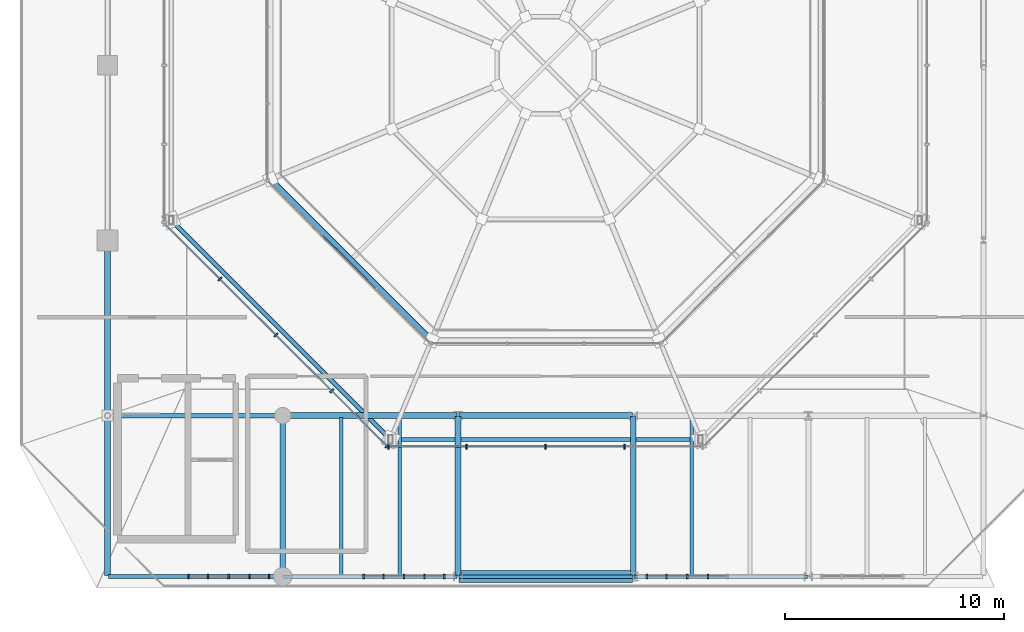
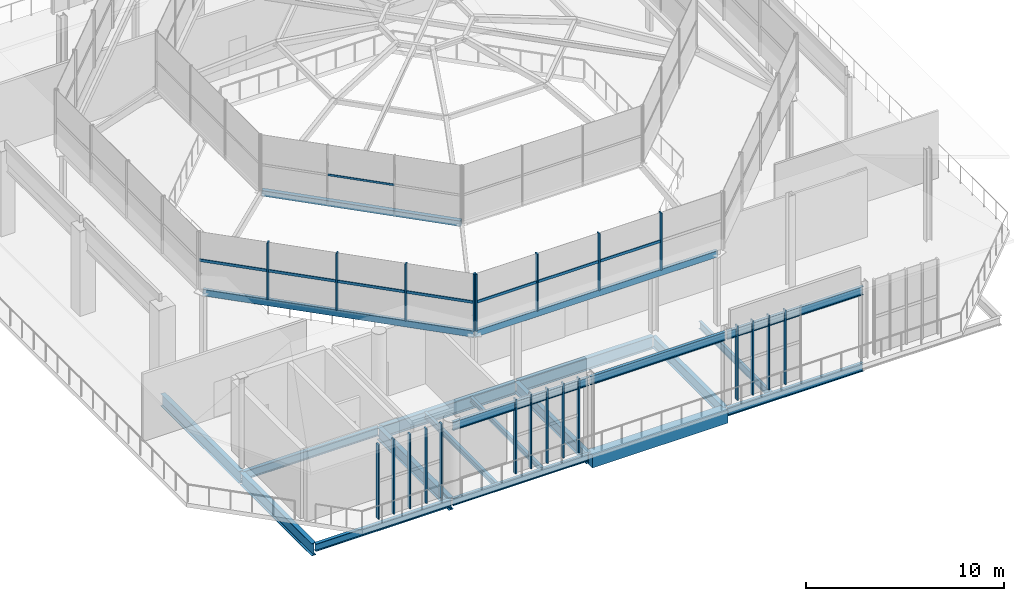
# One storey, part 8 of 30: 30 members, 21 beams, 6 elements without a shape of their own.
"""IFC4 building model written with IfcOpenShell, lengths in metres."""

import ifcopenshell
import ifcopenshell.guid

model = None  # the IFC model being written
_history = None  # IfcOwnerHistory: only IFC2X3 demands one
_inside = {}  # id of a spatial element -> (the spatial element, [elements in it])
_under = {}  # id of a project, library or spatial element -> (it, [spatial elements below it])
_declared = {}  # id of a project -> (the project, [libraries it declares])
_typed = {}  # id of a type object -> (the type object, [elements of that type])
_made_of = {}  # id of a material, layer set ... -> (it, [elements and type objects made of it])


def new_model(schema):
    """Start an empty IFC model of exactly this schema.

    Asked for "IFC4X3", IfcOpenShell would pick the latest addendum, in which some entities
    have other attributes; the version numbers below select the first issue.
    IFC2X3 requires an IfcOwnerHistory on every rooted entity: one is made here for all.
    """
    global model, _history
    if schema == "IFC4X3":
        model = ifcopenshell.file(schema_version=(4, 3, 0, 0))
    else:
        model = ifcopenshell.file(schema=schema)
    _inside.clear()
    _under.clear()
    _declared.clear()
    _typed.clear()
    _made_of.clear()
    _history = None
    if model.schema == "IFC2X3":
        org = make("IfcOrganization", Name="unknown")
        user = make(
            "IfcPersonAndOrganization",
            ThePerson=make("IfcPerson", FamilyName="unknown"),
            TheOrganization=org,
        )
        app = make(
            "IfcApplication",
            ApplicationDeveloper=org,
            Version="unknown",
            ApplicationFullName="unknown",
            ApplicationIdentifier="unknown",
        )
        _history = make(
            "IfcOwnerHistory",
            OwningUser=user,
            OwningApplication=app,
            ChangeAction="ADDED",
            CreationDate=0,
        )
    return model


def make(cls, **values):
    """One entity of the class cls with the attributes given. An attribute that is None is left unset."""
    return model.create_entity(
        cls, **{name: value for name, value in values.items() if value is not None}
    )


def rooted(cls, **values):
    """An entity with a GlobalId (a new one), such as an element, a storey or a relation."""
    return make(cls, GlobalId=ifcopenshell.guid.new(), OwnerHistory=_history, **values)


def si_unit(unit_type, name, prefix=None):
    """IfcSIUnit, for example si_unit("LENGTHUNIT", "METRE", prefix="MILLI")."""
    return make("IfcSIUnit", UnitType=unit_type, Prefix=prefix, Name=name)


def assignment(units):
    """IfcUnitAssignment: the units of a project."""
    return None if units is None else make("IfcUnitAssignment", Units=units)


def point(xyz):
    """IfcCartesianPoint."""
    return None if xyz is None else make("IfcCartesianPoint", Coordinates=xyz)


def direction(xyz):
    """IfcDirection."""
    return None if xyz is None else make("IfcDirection", DirectionRatios=xyz)


def frame(location, z_axis=None, x_axis=None):
    """IfcAxis2Placement3D, a coordinate frame: its origin and axes. An axis left out is left unset."""
    return make(
        "IfcAxis2Placement3D",
        Location=point(location),
        Axis=direction(z_axis),
        RefDirection=direction(x_axis),
    )


def frame_2d(location, x_axis=None):
    """IfcAxis2Placement2D, a coordinate frame in the plane: its origin and x axis."""
    return make(
        "IfcAxis2Placement2D", Location=point(location), RefDirection=direction(x_axis)
    )


def origin():
    """The frame at (0, 0, 0) with its axes left unset."""
    return frame((0.0, 0.0, 0.0))


def origin_2d():
    """The frame at (0, 0) in the plane with its x axis left unset."""
    return frame_2d((0.0, 0.0))


def place(relative_to, where):
    """IfcLocalPlacement: puts the frame where relative to a parent placement (None: the world)."""
    return make(
        "IfcLocalPlacement", PlacementRelTo=relative_to, RelativePlacement=where
    )


def context(
    kind, dimensions, precision=None, world=None, true_north=None, identifier=None
):
    """IfcGeometricRepresentationContext, for example the 3D "Model" context."""
    return make(
        "IfcGeometricRepresentationContext",
        ContextIdentifier=identifier,
        ContextType=kind,
        CoordinateSpaceDimension=dimensions,
        Precision=precision,
        WorldCoordinateSystem=world,
        TrueNorth=true_north,
    )


def subcontext(parent, identifier, kind, view, scale=None):
    """IfcGeometricRepresentationSubContext, for example "Body" below "Model"."""
    return make(
        "IfcGeometricRepresentationSubContext",
        ContextIdentifier=identifier,
        ContextType=kind,
        ParentContext=parent,
        TargetScale=scale,
        TargetView=view,
    )


def project(units=None, contexts=None):
    """IfcProject with its units and contexts."""
    return rooted(
        "IfcProject",
        Name="project",
        RepresentationContexts=contexts,
        UnitsInContext=assignment(units),
    )


def spatial(cls, under=None, at=None, **own):
    """A site, building, storey or space (cls), placed at a placement, below another one or the project."""
    s = rooted(cls, ObjectPlacement=at, **own)
    if under is not None:
        _under.setdefault(under.id(), (under, []))[1].append(s)
    return s


def profile(cls, at=None, kind="AREA", **sizes):
    """A parametric profile (cls). Its sizes go by their IFC names, for example OverallWidth=200.0."""
    return make(cls, ProfileType=kind, Position=at, **sizes)


def rectangle(**sizes):
    """IfcRectangleProfileDef."""
    return profile("IfcRectangleProfileDef", **sizes)


def hollow_rectangle(**sizes):
    """IfcRectangleHollowProfileDef."""
    return profile("IfcRectangleHollowProfileDef", **sizes)


def i_section(**sizes):
    """IfcIShapeProfileDef."""
    return profile("IfcIShapeProfileDef", **sizes)


def extrude(swept, where, along, depth):
    """IfcExtrudedAreaSolid: the profile swept, set in the frame where, extruded along a direction by depth."""
    return make(
        "IfcExtrudedAreaSolid",
        SweptArea=swept,
        Position=where,
        ExtrudedDirection=direction(along),
        Depth=depth,
    )


def shape(context_of_items, identifier, shape_type, items):
    """IfcShapeRepresentation: the items that make up one representation, for example the "Body"."""
    return make(
        "IfcShapeRepresentation",
        ContextOfItems=context_of_items,
        RepresentationIdentifier=identifier,
        RepresentationType=shape_type,
        Items=items,
    )


def material(Name=None, Category=None):
    """IfcMaterial."""
    return make("IfcMaterial", Name=Name, Category=Category)


def material_profile(
    of_material, cross_section, Name=None, Category=None, Priority=None
):
    """IfcMaterialProfile: a cross section and its material."""
    return make(
        "IfcMaterialProfile",
        Name=Name,
        Material=of_material,
        Profile=cross_section,
        Priority=Priority,
        Category=Category,
    )


def profile_set(profiles, Name=None, composite=None):
    """IfcMaterialProfileSet."""
    return make(
        "IfcMaterialProfileSet",
        Name=Name,
        MaterialProfiles=profiles,
        CompositeProfile=composite,
    )


def made_of(thing, what):
    """Note that an element or type object is made of a material, layer set ...; save() writes the relation."""
    if what is not None:
        _made_of.setdefault(what.id(), (what, []))[1].append(thing)
    return thing


def type_object(cls, material=None, **own):
    """A type object (cls), such as IfcWallType, which elements share."""
    return made_of(rooted(cls, **own), material)


def element(
    cls,
    number,
    at=None,
    inside=None,
    cuts=None,
    type_object=None,
    material=None,
    context=None,
    identifier="Body",
    shape_type=None,
    held_by="IfcProductDefinitionShape",
    body=None,
    shapes=None,
    **own,
):
    """One element of the class cls, such as IfcWall. Its Tag is "e" and its number.

    at: its placement. inside: the storey or other place that contains it. cuts: it is an
    opening in that element (IfcRelVoidsElement). A single representation is given by context,
    identifier, shape_type and body (its items); several are given by shapes. held_by: the class
    of the entity that holds the representations. save() writes the other relations.
    """
    e = rooted(cls, Tag="e%d" % number, ObjectPlacement=at, **own)
    if body is not None:
        shapes = [shape(context, identifier, shape_type, body)]
    if shapes is not None:
        e.Representation = make(held_by, Representations=shapes)
    if inside is not None:
        _inside.setdefault(inside.id(), (inside, []))[1].append(e)
    if cuts is not None:
        rooted(
            "IfcRelVoidsElement", RelatingBuildingElement=cuts, RelatedOpeningElement=e
        )
    if type_object is not None:
        _typed.setdefault(type_object.id(), (type_object, []))[1].append(e)
    return made_of(e, material)


def aggregate(whole, parts):
    """IfcRelAggregates: a whole, such as a stair, and the parts it consists of."""
    return rooted("IfcRelAggregates", RelatingObject=whole, RelatedObjects=parts)


def save(model, path):
    """Write the relations noted so far, then the file.

    IfcRelAggregates (storeys below a building ...), IfcRelContainedInSpatialStructure (elements
    in a storey), IfcRelDefinesByType, IfcRelAssociatesMaterial and IfcRelDeclares: one each for
    every whole, place, type object, material and project.
    """
    for whole, parts in _under.values():
        aggregate(whole, parts)
    for where, things in _inside.values():
        rooted(
            "IfcRelContainedInSpatialStructure",
            RelatedElements=things,
            RelatingStructure=where,
        )
    for kind, things in _typed.values():
        rooted("IfcRelDefinesByType", RelatedObjects=things, RelatingType=kind)
    for what, things in _made_of.values():
        rooted("IfcRelAssociatesMaterial", RelatedObjects=things, RelatingMaterial=what)
    for by, libraries in _declared.values():
        rooted("IfcRelDeclares", RelatingContext=by, RelatedDefinitions=libraries)
    model.write(path)


model = new_model("IFC4")

# Units and contexts
model_context = context("Model", 3, precision=1e-05, world=origin(), true_north=direction((0.0, 1.0)))
body_context = subcontext(model_context, "Body", "Model", "MODEL_VIEW")
ifc_project = project(units=[si_unit("LENGTHUNIT", "METRE"), si_unit("AREAUNIT", "SQUARE_METRE"), si_unit("VOLUMEUNIT", "CUBIC_METRE"), si_unit("PLANEANGLEUNIT", "RADIAN"), si_unit("MASSUNIT", "GRAM", prefix="KILO")], contexts=[model_context])

# Site, building, storey
site_placement = place(None, origin())
site = spatial("IfcSite", under=ifc_project, at=site_placement, CompositionType="ELEMENT")
building_placement = place(site_placement, origin())
building = spatial("IfcBuilding", under=site, at=building_placement, Name="Brisemont Oceanarium", CompositionType="ELEMENT")
storey_placement = place(building_placement, frame((0.0, 0.0, 19.800048828125)))
storey = spatial("IfcBuildingStorey", under=building, at=storey_placement, Name="L04", CompositionType="ELEMENT", Elevation=19.800048828125)

# Beams
ifc_material_1 = material(Name="Structural Steel ASTM A500 Gr.C", Category="steel")
ifc_material_profile_1 = material_profile(ifc_material_1, hollow_rectangle(XDim=0.25390625, YDim=0.35595703125, WallThickness=0.01171875, InnerFilletRadius=0.01220703125, OuterFilletRadius=0.02392578125, at=origin_2d()), Name="HSS14X10X1/2")
ifc_profile_set_1 = profile_set([ifc_material_profile_1], Name="Structural Steel ASTM A500 Gr.C")
beam_type_1 = type_object("IfcBeamType", Name="BM-HSS14X10", PredefinedType="BEAM", material=ifc_profile_set_1)
beam_1_placement = place(storey_placement, frame((71.435302734375, 50.79541015625, 7.800048828125), z_axis=(0.707106781187, -0.707106781187, 0.0), x_axis=(0.707106781187, 0.707106781187, 0.0)))
element("IfcBeam", 1, at=beam_1_placement, inside=storey, type_object=beam_type_1, Name="V1 dome ring 2 chord 5", PredefinedType="BEAM", context=body_context, shape_type="SweptSolid", body=[
    extrude(hollow_rectangle(XDim=0.25390625, YDim=0.35595703125, WallThickness=0.01171875, InnerFilletRadius=0.01220703125, OuterFilletRadius=0.02392578125, at=origin_2d()), origin(), (0.0, 0.0, 1.0), 10.40869140625),
])
ifc_material_2 = material(Name="Structural Steel ASTM A500 Gr.C", Category="steel")
ifc_material_profile_2 = material_profile(ifc_material_2, hollow_rectangle(XDim=0.202880859375, YDim=0.406005859375, WallThickness=0.01171875, InnerFilletRadius=0.01220703125, OuterFilletRadius=0.02392578125, at=origin_2d()), Name="HSS16X8X1/2")
ifc_profile_set_2 = profile_set([ifc_material_profile_2], Name="Structural Steel ASTM A500 Gr.C")
beam_type_2 = type_object("IfcBeamType", Name="BM-HSS16X8", PredefinedType="BEAM", material=ifc_profile_set_2)
beam_2_placement = place(storey_placement, frame((66.908203125, 48.92041015625, 4.3798828125), z_axis=(0.707106781187, -0.707106781187, 0.0), x_axis=(0.707106781187, 0.707106781187, 0.0)))
element("IfcBeam", 2, at=beam_2_placement, inside=storey, type_object=beam_type_2, Name="V1 dome ring 1 chord 5", PredefinedType="BEAM", context=body_context, shape_type="SweptSolid", body=[
    extrude(hollow_rectangle(XDim=0.202880859375, YDim=0.406005859375, WallThickness=0.01171875, InnerFilletRadius=0.01220703125, OuterFilletRadius=0.02392578125, at=origin_2d()), origin(), (0.0, 0.0, 1.0), 14.159423828125),
])
beam_3_placement = place(storey_placement, frame((76.92041015625, 38.908203125, 4.3798828125), z_axis=(1.0, 0.0, 0.0), x_axis=(0.0, 1.0, 0.0)))
element("IfcBeam", 3, at=beam_3_placement, inside=storey, type_object=beam_type_2, Name="V1 dome ring 1 chord 6", PredefinedType="BEAM", context=body_context, shape_type="SweptSolid", body=[
    extrude(hollow_rectangle(XDim=0.202880859375, YDim=0.406005859375, WallThickness=0.01171875, InnerFilletRadius=0.01220703125, OuterFilletRadius=0.02392578125, at=origin_2d()), origin(), (0.0, 0.0, 1.0), 14.1591796875),
])
ifc_material_3 = material(Name="Concrete C40/50", Category="concrete")
ifc_material_profile_3 = material_profile(ifc_material_3, rectangle(XDim=0.550048828125, YDim=0.800048828125, at=origin_2d()), Name="RC-BM-550X800")
ifc_profile_set_3 = profile_set([ifc_material_profile_3], Name="Concrete C40/50")
beam_type_3 = type_object("IfcBeamType", Name="BM-RC550X800", PredefinedType="SPANDREL", material=ifc_profile_set_3)
beam_4_placement = place(storey_placement, frame((80.0400390625, 32.64990234375, -0.66015625), z_axis=(1.0, 0.0, 0.0), x_axis=(0.0, 1.0, 0.0)))
element("IfcBeam", 4, at=beam_4_placement, inside=storey, type_object=beam_type_3, Name="V1 L04 EW girder", PredefinedType="SPANDREL", context=body_context, shape_type="SweptSolid", body=[
    extrude(rectangle(XDim=0.550048828125, YDim=0.800048828125, at=origin_2d()), origin(), (0.0, 0.0, 1.0), 7.919921875),
])
ifc_material_4 = material(Name="Structural Steel ASTM A992 Gr.50", Category="steel")
ifc_material_profile_4 = material_profile(ifc_material_4, i_section(OverallWidth=0.1650390625, OverallDepth=0.31005859375, WebThickness=0.005859375, FlangeThickness=0.009765625, FilletRadius=0.008056640625, at=origin_2d()), Name="W12X26")
ifc_profile_set_4 = profile_set([ifc_material_profile_4], Name="Structural Steel ASTM A992 Gr.50")
beam_type_4 = type_object("IfcBeamType", Name="BM-W12X26", PredefinedType="JOIST", material=ifc_profile_set_4)
beam_5_placement = place(storey_placement, frame((77.333251953125, 32.68994140625, -0.4150390625), z_axis=(0.0, 1.0, 0.0), x_axis=(-1.0, 0.0, 0.0)))
element("IfcBeam", 5, at=beam_5_placement, inside=storey, type_object=beam_type_4, Name="V1 L04 secondary floor beam", PredefinedType="JOIST", context=body_context, shape_type="SweptSolid", body=[
    extrude(i_section(OverallWidth=0.1650390625, OverallDepth=0.31005859375, WebThickness=0.005859375, FlangeThickness=0.009765625, FilletRadius=0.008056640625, at=origin_2d()), origin(), (0.0, 0.0, 1.0), 7.219970703125),
])
ifc_material_5 = material(Name="Structural Steel ASTM A992 Gr.50", Category="steel")
ifc_material_profile_5 = material_profile(ifc_material_5, i_section(OverallWidth=0.1708984375, OverallDepth=0.35107421875, WebThickness=0.0068359375, FlangeThickness=0.009765625, FilletRadius=0.010009765625, at=origin_2d()), Name="W14X30")
ifc_profile_set_5 = profile_set([ifc_material_profile_5], Name="Structural Steel ASTM A992 Gr.50")
beam_type_5 = type_object("IfcBeamType", Name="BM-W14X30", PredefinedType="JOIST", material=ifc_profile_set_5)
beam_6_placement = place(storey_placement, frame((74.666748046875, 32.68994140625, -0.435546875), z_axis=(0.0, 1.0, 0.0), x_axis=(-1.0, 0.0, 0.0)))
element("IfcBeam", 6, at=beam_6_placement, inside=storey, type_object=beam_type_5, Name="V1 L04 secondary floor beam", PredefinedType="JOIST", context=body_context, shape_type="SweptSolid", body=[
    extrude(i_section(OverallWidth=0.1708984375, OverallDepth=0.35107421875, WebThickness=0.0068359375, FlangeThickness=0.009765625, FilletRadius=0.010009765625, at=origin_2d()), origin(), (0.0, 0.0, 1.0), 7.219970703125),
])
ifc_material_6 = material(Name="Structural Steel ASTM A992 Gr.50", Category="steel")
ifc_material_profile_6 = material_profile(ifc_material_6, i_section(OverallWidth=0.153076171875, OverallDepth=0.455078125, WebThickness=0.008056640625, FlangeThickness=0.01318359375, FilletRadius=0.010986328125, at=origin_2d()), Name="W18X40")
ifc_profile_set_6 = profile_set([ifc_material_profile_6], Name="Structural Steel ASTM A992 Gr.50")
beam_type_6 = type_object("IfcBeamType", Name="BM-W18X40", PredefinedType="JOIST", material=ifc_profile_set_6)
beam_7_placement = place(storey_placement, frame((90.666748046875, 32.68994140625, -0.487548828125), z_axis=(0.0, 1.0, 0.0), x_axis=(-1.0, 0.0, 0.0)))
element("IfcBeam", 7, at=beam_7_placement, inside=storey, type_object=beam_type_6, Name="V1 L04 secondary floor beam", PredefinedType="JOIST", context=body_context, shape_type="SweptSolid", body=[
    extrude(i_section(OverallWidth=0.153076171875, OverallDepth=0.455078125, WebThickness=0.008056640625, FlangeThickness=0.01318359375, FilletRadius=0.010986328125, at=origin_2d()), origin(), (0.0, 0.0, 1.0), 7.219970703125),
])
ifc_material_7 = material(Name="Structural Steel ASTM A992 Gr.50", Category="steel")
ifc_material_profile_7 = material_profile(ifc_material_7, i_section(OverallWidth=0.154052734375, OverallDepth=0.458984375, WebThickness=0.009033203125, FlangeThickness=0.015380859375, FilletRadius=0.010986328125, at=origin_2d()), Name="W18X46")
ifc_profile_set_7 = profile_set([ifc_material_profile_7], Name="Structural Steel ASTM A992 Gr.50")
beam_type_7 = type_object("IfcBeamType", Name="BM-W18X46", PredefinedType="SPANDREL", material=ifc_profile_set_7)
beam_8_placement = place(storey_placement, frame((72.0400390625, 32.64990234375, -0.489501953125), z_axis=(1.0, 0.0, 0.0), x_axis=(0.0, 1.0, 0.0)))
element("IfcBeam", 8, at=beam_8_placement, inside=storey, type_object=beam_type_7, Name="V1 L04 EW girder", PredefinedType="SPANDREL", context=body_context, shape_type="SweptSolid", body=[
    extrude(i_section(OverallWidth=0.154052734375, OverallDepth=0.458984375, WebThickness=0.009033203125, FlangeThickness=0.015380859375, FilletRadius=0.010986328125, at=origin_2d()), origin(), (0.0, 0.0, 1.0), 7.919921875),
])
ifc_material_8 = material(Name="Structural Steel ASTM A992 Gr.50", Category="steel")
ifc_material_profile_8 = material_profile(ifc_material_8, i_section(OverallWidth=0.19091796875, OverallDepth=0.4599609375, WebThickness=0.010009765625, FlangeThickness=0.01611328125, FilletRadius=0.010986328125, at=origin_2d()), Name="W18X55")
ifc_profile_set_8 = profile_set([ifc_material_profile_8], Name="Structural Steel ASTM A992 Gr.50")
beam_type_8 = type_object("IfcBeamType", Name="BM-W18X55", PredefinedType="SPANDREL", material=ifc_profile_set_8)
beam_9_placement = place(storey_placement, frame((64.0400390625, 32.64990234375, -0.489990234375), z_axis=(1.0, 0.0, 0.0), x_axis=(0.0, 1.0, 0.0)))
element("IfcBeam", 9, at=beam_9_placement, inside=storey, type_object=beam_type_8, Name="V1 L04 EW girder", PredefinedType="SPANDREL", context=body_context, shape_type="SweptSolid", body=[
    extrude(i_section(OverallWidth=0.19091796875, OverallDepth=0.4599609375, WebThickness=0.010009765625, FlangeThickness=0.01611328125, FilletRadius=0.010986328125, at=origin_2d()), origin(), (0.0, 0.0, 1.0), 7.919921875),
])
ifc_material_9 = material(Name="Structural Steel ASTM A992 Gr.50", Category="steel")
ifc_material_profile_9 = material_profile(ifc_material_9, i_section(OverallWidth=0.166015625, OverallDepth=0.528076171875, WebThickness=0.009765625, FlangeThickness=0.013671875, FilletRadius=0.012939453125, at=origin_2d()), Name="W21X50")
ifc_profile_set_9 = profile_set([ifc_material_profile_9], Name="Structural Steel ASTM A992 Gr.50")
beam_type_9 = type_object("IfcBeamType", Name="BM-W21X50", PredefinedType="SPANDREL", material=ifc_profile_set_9)
for number, where, z_axis, x_axis, name in (
    (10, (88.0400390625, 32.64990234375, -0.524169921875), (1.0, 0.0, 0.0), (0.0, 1.0, 0.0), "V1 L04 EW girder"),
    (11, (72.0400390625, 32.64990234375, 4.18603515625), (1.0, 0.0, 0.0), (0.0, 1.0, 0.0), "V1 L04 cornice parapet spandrel beam 1"),
    (12, (80.0400390625, 32.64990234375, 4.18603515625), (1.0, 0.0, 0.0), (0.0, 1.0, 0.0), "V1 L04 cornice parapet spandrel beam 2"),
    (13, (88.0400390625, 32.64990234375, 4.18603515625), (1.0, 0.0, 0.0), (0.0, 1.0, 0.0), "V1 L04 cornice parapet spandrel beam 3"),
):
    element("IfcBeam", number, at=place(storey_placement, frame(where, z_axis=z_axis, x_axis=x_axis)), inside=storey, type_object=beam_type_9, Name=name, PredefinedType="SPANDREL", context=body_context, shape_type="SweptSolid", body=[
        extrude(i_section(OverallWidth=0.166015625, OverallDepth=0.528076171875, WebThickness=0.009765625, FlangeThickness=0.013671875, FilletRadius=0.012939453125, at=origin_2d()), origin(), (0.0, 0.0, 1.0), 7.919921875),
    ])
ifc_material_10 = material(Name="Structural Steel ASTM A992 Gr.50", Category="steel")
ifc_material_profile_10 = material_profile(ifc_material_10, i_section(OverallWidth=0.2099609375, OverallDepth=0.532958984375, WebThickness=0.01025390625, FlangeThickness=0.015625, FilletRadius=0.012939453125, at=origin_2d()), Name="W21X62")
ifc_profile_set_10 = profile_set([ifc_material_profile_10], Name="Structural Steel ASTM A992 Gr.50")
beam_type_10 = type_object("IfcBeamType", Name="BM-W21X62", PredefinedType="BEAM", material=ifc_profile_set_10)
beam_10_placement = place(storey_placement, frame((64.0400390625, 40.0, -0.526611328125), z_axis=(1.0, 0.0, 0.0), x_axis=(0.0, 1.0, 0.0)))
element("IfcBeam", 14, at=beam_10_placement, inside=storey, type_object=beam_type_10, Name="V1 L04 EW girder", PredefinedType="BEAM", context=body_context, shape_type="SweptSolid", body=[
    extrude(i_section(OverallWidth=0.2099609375, OverallDepth=0.532958984375, WebThickness=0.01025390625, FlangeThickness=0.015625, FilletRadius=0.012939453125, at=origin_2d()), origin(), (0.0, 0.0, 1.0), 7.919921875),
])
ifc_material_11 = material(Name="Structural Steel ASTM A992 Gr.50", Category="steel")
ifc_material_profile_11 = material_profile(ifc_material_11, i_section(OverallWidth=0.2529296875, OverallDepth=0.677978515625, WebThickness=0.01171875, FlangeThickness=0.016357421875, FilletRadius=0.014892578125, at=origin_2d()), Name="W27X84")
ifc_profile_set_11 = profile_set([ifc_material_profile_11], Name="Structural Steel ASTM A992 Gr.50")
beam_type_11 = type_object("IfcBeamType", Name="BM-W27X84", PredefinedType="BEAM", material=ifc_profile_set_11)
beam_11_placement = place(storey_placement, frame((88.0, 32.68994140625, -0.59912109375), z_axis=(0.0, 1.0, 0.0), x_axis=(-1.0, 0.0, 0.0)))
element("IfcBeam", 15, at=beam_11_placement, inside=storey, type_object=beam_type_11, Name="V1 L04 NS girder", PredefinedType="BEAM", context=body_context, shape_type="SweptSolid", body=[
    extrude(i_section(OverallWidth=0.2529296875, OverallDepth=0.677978515625, WebThickness=0.01171875, FlangeThickness=0.016357421875, FilletRadius=0.014892578125, at=origin_2d()), origin(), (0.0, 0.0, 1.0), 7.27001953125),
])
ifc_material_12 = material(Name="Structural Steel ASTM A992 Gr.50", Category="steel")
ifc_material_profile_12 = material_profile(ifc_material_12, i_section(OverallWidth=0.25390625, OverallDepth=0.68310546875, WebThickness=0.012451171875, FlangeThickness=0.018798828125, FilletRadius=0.014892578125, at=origin_2d()), Name="W27X94")
ifc_profile_set_12 = profile_set([ifc_material_profile_12], Name="Structural Steel ASTM A992 Gr.50")
beam_type_12 = type_object("IfcBeamType", Name="BM-W27X94", PredefinedType="BEAM", material=ifc_profile_set_12)
beam_12_placement = place(storey_placement, frame((80.0, 32.68994140625, -0.6015625), z_axis=(0.0, 1.0, 0.0), x_axis=(-1.0, 0.0, 0.0)))
element("IfcBeam", 16, at=beam_12_placement, inside=storey, type_object=beam_type_12, Name="V1 L04 NS girder", PredefinedType="BEAM", context=body_context, shape_type="SweptSolid", body=[
    extrude(i_section(OverallWidth=0.25390625, OverallDepth=0.68310546875, WebThickness=0.012451171875, FlangeThickness=0.018798828125, FilletRadius=0.014892578125, at=origin_2d()), origin(), (0.0, 0.0, 1.0), 7.27001953125),
])
ifc_material_13 = material(Name="Structural Steel ASTM A992 Gr.50", Category="steel")
ifc_material_profile_13 = material_profile(ifc_material_13, i_section(OverallWidth=0.26708984375, OverallDepth=0.761962890625, WebThickness=0.014404296875, FlangeThickness=0.021484375, FilletRadius=0.01611328125, at=origin_2d()), Name="W30X116")
ifc_profile_set_13 = profile_set([ifc_material_profile_13], Name="Structural Steel ASTM A992 Gr.50")
beam_type_13 = type_object("IfcBeamType", Name="BM-W30X116", PredefinedType="BEAM", material=ifc_profile_set_13)
beam_13_placement = place(storey_placement, frame((72.0400390625, 40.0, -0.64111328125), z_axis=(1.0, 0.0, 0.0), x_axis=(0.0, 1.0, 0.0)))
element("IfcBeam", 17, at=beam_13_placement, inside=storey, type_object=beam_type_13, Name="V1 L04 EW girder", PredefinedType="BEAM", context=body_context, shape_type="SweptSolid", body=[
    extrude(i_section(OverallWidth=0.26708984375, OverallDepth=0.761962890625, WebThickness=0.014404296875, FlangeThickness=0.021484375, FilletRadius=0.01611328125, at=origin_2d()), origin(), (0.0, 0.0, 1.0), 7.919921875),
])
beam_14_placement = place(storey_placement, frame((64.0, 32.68994140625, -0.64111328125), z_axis=(0.0, 1.0, 0.0), x_axis=(-1.0, 0.0, 0.0)))
element("IfcBeam", 18, at=beam_14_placement, inside=storey, type_object=beam_type_13, Name="V1 L04 NS girder", PredefinedType="BEAM", context=body_context, shape_type="SweptSolid", body=[
    extrude(i_section(OverallWidth=0.26708984375, OverallDepth=0.761962890625, WebThickness=0.014404296875, FlangeThickness=0.021484375, FilletRadius=0.01611328125, at=origin_2d()), origin(), (0.0, 0.0, 1.0), 7.27001953125),
])
ifc_material_14 = material(Name="Structural Steel ASTM A992 Gr.50", Category="steel")
ifc_material_profile_14 = material_profile(ifc_material_14, i_section(OverallWidth=0.264892578125, OverallDepth=0.7529296875, WebThickness=0.01318359375, FlangeThickness=0.01708984375, FilletRadius=0.01611328125, at=origin_2d()), Name="W30X99")
ifc_profile_set_14 = profile_set([ifc_material_profile_14], Name="Structural Steel ASTM A992 Gr.50")
beam_type_14 = type_object("IfcBeamType", Name="BM-W30X99", PredefinedType="BEAM", material=ifc_profile_set_14)
for number, where, z_axis, x_axis, name in (
    (19, (80.0400390625, 40.0, -0.636474609375), (1.0, 0.0, 0.0), (0.0, 1.0, 0.0), "V1 L04 EW girder"),
    (20, (64.0, 40.0400390625, -0.636474609375), (0.0, 1.0, 0.0), (-1.0, 0.0, 0.0), "V1 L04 NS girder"),
):
    element("IfcBeam", number, at=place(storey_placement, frame(where, z_axis=z_axis, x_axis=x_axis)), inside=storey, type_object=beam_type_14, Name=name, PredefinedType="BEAM", context=body_context, shape_type="SweptSolid", body=[
        extrude(i_section(OverallWidth=0.264892578125, OverallDepth=0.7529296875, WebThickness=0.01318359375, FlangeThickness=0.01708984375, FilletRadius=0.01611328125, at=origin_2d()), origin(), (0.0, 0.0, 1.0), 7.919921875),
    ])
beam_15_placement = place(storey_placement, frame((72.0, 32.68994140625, -0.636474609375), z_axis=(0.0, 1.0, 0.0), x_axis=(-1.0, 0.0, 0.0)))
element("IfcBeam", 21, at=beam_15_placement, inside=storey, type_object=beam_type_14, Name="V1 L04 NS girder", PredefinedType="BEAM", context=body_context, shape_type="SweptSolid", body=[
    extrude(i_section(OverallWidth=0.264892578125, OverallDepth=0.7529296875, WebThickness=0.01318359375, FlangeThickness=0.01708984375, FilletRadius=0.01611328125, at=origin_2d()), origin(), (0.0, 0.0, 1.0), 7.27001953125),
])

# Curtain wall, members
ifc_material_15 = material(Name="Anodized Extruded Aluminum 6063-T6", Category="aluminium")
curtain_wall_type_1 = type_object("IfcCurtainWallType", Name="CW-ROT-69X44", PredefinedType="NOTDEFINED", material=ifc_material_15)
curtain_wall_1_placement = place(storey_placement, origin())
curtain_wall_1 = element("IfcCurtainWall", 22, at=curtain_wall_1_placement, inside=storey, type_object=curtain_wall_type_1, Name="CW-03 curtain wall CW-V1-S-L04-01", PredefinedType="NOTDEFINED")
ifc_material_16 = material(Name="Anodized Extruded Aluminum 6063-T6", Category="aluminium")
ifc_material_profile_15 = material_profile(ifc_material_16, rectangle(XDim=0.074951171875, YDim=0.219970703125, at=origin_2d()), Name="CWM-75X220")
ifc_profile_set_15 = profile_set([ifc_material_profile_15], Name="Anodized Extruded Aluminum 6063-T6")
member_type_1 = type_object("IfcMemberType", Name="MEM-CWM-75", PredefinedType="MULLION", material=ifc_profile_set_15)
member_1_placement = place(storey_placement, frame((67.695068359375, 32.64990234375, 0.0), z_axis=(0.0, 0.0, 1.0), x_axis=(1.0, 0.0, 0.0)))
member_1 = element("IfcMember", 23, at=member_1_placement, type_object=member_type_1, Name="CW-V1-S-L04-01 mullion 1", PredefinedType="MULLION", context=body_context, shape_type="SweptSolid", body=[
    extrude(rectangle(XDim=0.074951171875, YDim=0.219970703125, at=origin_2d()), origin(), (0.0, 0.0, 1.0), 4.599853515625),
])
member_2_placement = place(storey_placement, frame((68.592529296875, 32.64990234375, 0.0), z_axis=(0.0, 0.0, 1.0), x_axis=(1.0, 0.0, 0.0)))
member_2 = element("IfcMember", 24, at=member_2_placement, type_object=member_type_1, Name="CW-V1-S-L04-01 mullion 2", PredefinedType="MULLION", context=body_context, shape_type="SweptSolid", body=[
    extrude(rectangle(XDim=0.074951171875, YDim=0.219970703125, at=origin_2d()), origin(), (0.0, 0.0, 1.0), 4.599853515625),
])
member_3_placement = place(storey_placement, frame((69.534912109375, 32.64990234375, 0.0), z_axis=(0.0, 0.0, 1.0), x_axis=(1.0, 0.0, 0.0)))
member_3 = element("IfcMember", 25, at=member_3_placement, type_object=member_type_1, Name="CW-V1-S-L04-01 mullion 3", PredefinedType="MULLION", context=body_context, shape_type="SweptSolid", body=[
    extrude(rectangle(XDim=0.074951171875, YDim=0.219970703125, at=origin_2d()), origin(), (0.0, 0.0, 1.0), 4.599853515625),
])
member_4_placement = place(storey_placement, frame((70.4775390625, 32.64990234375, 0.0), z_axis=(0.0, 0.0, 1.0), x_axis=(1.0, 0.0, 0.0)))
member_4 = element("IfcMember", 26, at=member_4_placement, type_object=member_type_1, Name="CW-V1-S-L04-01 mullion 4", PredefinedType="MULLION", context=body_context, shape_type="SweptSolid", body=[
    extrude(rectangle(XDim=0.074951171875, YDim=0.219970703125, at=origin_2d()), origin(), (0.0, 0.0, 1.0), 4.599853515625),
])
member_5_placement = place(storey_placement, frame((71.375, 32.64990234375, 0.0), z_axis=(0.0, 0.0, 1.0), x_axis=(1.0, 0.0, 0.0)))
member_5 = element("IfcMember", 27, at=member_5_placement, type_object=member_type_1, Name="CW-V1-S-L04-01 mullion 5", PredefinedType="MULLION", context=body_context, shape_type="SweptSolid", body=[
    extrude(rectangle(XDim=0.074951171875, YDim=0.219970703125, at=origin_2d()), origin(), (0.0, 0.0, 1.0), 4.599853515625),
])
aggregate(curtain_wall_1, [member_1, member_2, member_3, member_4, member_5])

curtain_wall_2_placement = place(storey_placement, origin())
curtain_wall_2 = element("IfcCurtainWall", 28, at=curtain_wall_2_placement, inside=storey, type_object=curtain_wall_type_1, Name="CW-03 curtain wall CW-V1-S-L04-02", PredefinedType="NOTDEFINED")
member_6_placement = place(storey_placement, frame((75.695068359375, 32.64990234375, 0.0), z_axis=(0.0, 0.0, 1.0), x_axis=(1.0, 0.0, 0.0)))
member_6 = element("IfcMember", 29, at=member_6_placement, type_object=member_type_1, Name="CW-V1-S-L04-02 mullion 1", PredefinedType="MULLION", context=body_context, shape_type="SweptSolid", body=[
    extrude(rectangle(XDim=0.074951171875, YDim=0.219970703125, at=origin_2d()), origin(), (0.0, 0.0, 1.0), 4.599853515625),
])
member_7_placement = place(storey_placement, frame((76.592529296875, 32.64990234375, 0.0), z_axis=(0.0, 0.0, 1.0), x_axis=(1.0, 0.0, 0.0)))
member_7 = element("IfcMember", 30, at=member_7_placement, type_object=member_type_1, Name="CW-V1-S-L04-02 mullion 2", PredefinedType="MULLION", context=body_context, shape_type="SweptSolid", body=[
    extrude(rectangle(XDim=0.074951171875, YDim=0.219970703125, at=origin_2d()), origin(), (0.0, 0.0, 1.0), 4.599853515625),
])
member_8_placement = place(storey_placement, frame((77.534912109375, 32.64990234375, 0.0), z_axis=(0.0, 0.0, 1.0), x_axis=(1.0, 0.0, 0.0)))
member_8 = element("IfcMember", 31, at=member_8_placement, type_object=member_type_1, Name="CW-V1-S-L04-02 mullion 3", PredefinedType="MULLION", context=body_context, shape_type="SweptSolid", body=[
    extrude(rectangle(XDim=0.074951171875, YDim=0.219970703125, at=origin_2d()), origin(), (0.0, 0.0, 1.0), 4.599853515625),
])
member_9_placement = place(storey_placement, frame((78.4775390625, 32.64990234375, 0.0), z_axis=(0.0, 0.0, 1.0), x_axis=(1.0, 0.0, 0.0)))
member_9 = element("IfcMember", 32, at=member_9_placement, type_object=member_type_1, Name="CW-V1-S-L04-02 mullion 4", PredefinedType="MULLION", context=body_context, shape_type="SweptSolid", body=[
    extrude(rectangle(XDim=0.074951171875, YDim=0.219970703125, at=origin_2d()), origin(), (0.0, 0.0, 1.0), 4.599853515625),
])
member_10_placement = place(storey_placement, frame((79.375, 32.64990234375, 0.0), z_axis=(0.0, 0.0, 1.0), x_axis=(1.0, 0.0, 0.0)))
member_10 = element("IfcMember", 33, at=member_10_placement, type_object=member_type_1, Name="CW-V1-S-L04-02 mullion 5", PredefinedType="MULLION", context=body_context, shape_type="SweptSolid", body=[
    extrude(rectangle(XDim=0.074951171875, YDim=0.219970703125, at=origin_2d()), origin(), (0.0, 0.0, 1.0), 4.599853515625),
])
aggregate(curtain_wall_2, [member_6, member_7, member_8, member_9, member_10])

curtain_wall_3_placement = place(storey_placement, origin())
curtain_wall_3 = element("IfcCurtainWall", 34, at=curtain_wall_3_placement, inside=storey, type_object=curtain_wall_type_1, Name="CW-03 curtain wall CW-V1-S-L04-03", PredefinedType="NOTDEFINED")
member_11_placement = place(storey_placement, frame((88.625, 32.64990234375, 0.0), z_axis=(0.0, 0.0, 1.0), x_axis=(1.0, 0.0, 0.0)))
member_11 = element("IfcMember", 35, at=member_11_placement, type_object=member_type_1, Name="CW-V1-S-L04-03 mullion 1", PredefinedType="MULLION", context=body_context, shape_type="SweptSolid", body=[
    extrude(rectangle(XDim=0.074951171875, YDim=0.219970703125, at=origin_2d()), origin(), (0.0, 0.0, 1.0), 4.599853515625),
])
member_12_placement = place(storey_placement, frame((89.5224609375, 32.64990234375, 0.0), z_axis=(0.0, 0.0, 1.0), x_axis=(1.0, 0.0, 0.0)))
member_12 = element("IfcMember", 36, at=member_12_placement, type_object=member_type_1, Name="CW-V1-S-L04-03 mullion 2", PredefinedType="MULLION", context=body_context, shape_type="SweptSolid", body=[
    extrude(rectangle(XDim=0.074951171875, YDim=0.219970703125, at=origin_2d()), origin(), (0.0, 0.0, 1.0), 4.599853515625),
])
member_13_placement = place(storey_placement, frame((90.465087890625, 32.64990234375, 0.0), z_axis=(0.0, 0.0, 1.0), x_axis=(1.0, 0.0, 0.0)))
member_13 = element("IfcMember", 37, at=member_13_placement, type_object=member_type_1, Name="CW-V1-S-L04-03 mullion 3", PredefinedType="MULLION", context=body_context, shape_type="SweptSolid", body=[
    extrude(rectangle(XDim=0.074951171875, YDim=0.219970703125, at=origin_2d()), origin(), (0.0, 0.0, 1.0), 4.599853515625),
])
member_14_placement = place(storey_placement, frame((91.407470703125, 32.64990234375, 0.0), z_axis=(0.0, 0.0, 1.0), x_axis=(1.0, 0.0, 0.0)))
member_14 = element("IfcMember", 38, at=member_14_placement, type_object=member_type_1, Name="CW-V1-S-L04-03 mullion 4", PredefinedType="MULLION", context=body_context, shape_type="SweptSolid", body=[
    extrude(rectangle(XDim=0.074951171875, YDim=0.219970703125, at=origin_2d()), origin(), (0.0, 0.0, 1.0), 4.599853515625),
])
aggregate(curtain_wall_3, [member_11, member_12, member_13, member_14])

curtain_wall_4_placement = place(storey_placement, origin())
curtain_wall_4 = element("IfcCurtainWall", 39, at=curtain_wall_4_placement, inside=storey, type_object=curtain_wall_type_1, Name="CW-03 curtain wall CW-DOME-DRUM-5", PredefinedType="NOTDEFINED")
member_15_placement = place(storey_placement, frame((69.13525390625, 46.236083984375, 4.780029296875), z_axis=(0.0, 0.0, 1.0), x_axis=(0.707106781187, -0.707106781187, 0.0)))
member_15 = element("IfcMember", 40, at=member_15_placement, type_object=member_type_1, Name="CW-DOME-DRUM-5 mullion 2", PredefinedType="MULLION", context=body_context, shape_type="SweptSolid", body=[
    extrude(rectangle(XDim=0.074951171875, YDim=0.219970703125, at=origin_2d()), origin(), (0.0, 0.0, 1.0), 3.52001953125),
])
member_16_placement = place(storey_placement, frame((71.685791015625, 43.685546875, 4.780029296875), z_axis=(0.0, 0.0, 1.0), x_axis=(0.707106781187, -0.707106781187, 0.0)))
member_16 = element("IfcMember", 41, at=member_16_placement, type_object=member_type_1, Name="CW-DOME-DRUM-5 mullion 3", PredefinedType="MULLION", context=body_context, shape_type="SweptSolid", body=[
    extrude(rectangle(XDim=0.074951171875, YDim=0.219970703125, at=origin_2d()), origin(), (0.0, 0.0, 1.0), 3.52001953125),
])
member_17_placement = place(storey_placement, frame((74.236083984375, 41.13525390625, 4.780029296875), z_axis=(0.0, 0.0, 1.0), x_axis=(0.707106781187, -0.707106781187, 0.0)))
member_17 = element("IfcMember", 42, at=member_17_placement, type_object=member_type_1, Name="CW-DOME-DRUM-5 mullion 4", PredefinedType="MULLION", context=body_context, shape_type="SweptSolid", body=[
    extrude(rectangle(XDim=0.074951171875, YDim=0.219970703125, at=origin_2d()), origin(), (0.0, 0.0, 1.0), 3.52001953125),
])
member_18_placement = place(storey_placement, frame((76.754638671875, 38.61669921875, 4.780029296875), z_axis=(0.0, 0.0, 1.0), x_axis=(0.707106781187, -0.707106781187, 0.0)))
member_18 = element("IfcMember", 43, at=member_18_placement, type_object=member_type_1, Name="CW-DOME-DRUM-5 mullion 5", PredefinedType="MULLION", context=body_context, shape_type="SweptSolid", body=[
    extrude(rectangle(XDim=0.074951171875, YDim=0.219970703125, at=origin_2d()), origin(), (0.0, 0.0, 1.0), 3.52001953125),
])

curtain_wall_5_placement = place(storey_placement, origin())
curtain_wall_5 = element("IfcCurtainWall", 44, at=curtain_wall_5_placement, inside=storey, type_object=curtain_wall_type_1, Name="CW-03 curtain wall CW-DOME-DRUM-6", PredefinedType="NOTDEFINED")
member_19_placement = place(storey_placement, frame((76.831298828125, 38.5849609375, 4.780029296875), z_axis=(0.0, 0.0, 1.0), x_axis=(1.0, 0.0, 0.0)))
member_19 = element("IfcMember", 45, at=member_19_placement, type_object=member_type_1, Name="CW-DOME-DRUM-6 mullion 1", PredefinedType="MULLION", context=body_context, shape_type="SweptSolid", body=[
    extrude(rectangle(XDim=0.074951171875, YDim=0.219970703125, at=origin_2d()), origin(), (0.0, 0.0, 1.0), 3.52001953125),
])
member_20_placement = place(storey_placement, frame((80.393310546875, 38.5849609375, 4.780029296875), z_axis=(0.0, 0.0, 1.0), x_axis=(1.0, 0.0, 0.0)))
member_20 = element("IfcMember", 46, at=member_20_placement, type_object=member_type_1, Name="CW-DOME-DRUM-6 mullion 2", PredefinedType="MULLION", context=body_context, shape_type="SweptSolid", body=[
    extrude(rectangle(XDim=0.074951171875, YDim=0.219970703125, at=origin_2d()), origin(), (0.0, 0.0, 1.0), 3.52001953125),
])
member_21_placement = place(storey_placement, frame((84.0, 38.5849609375, 4.780029296875), z_axis=(0.0, 0.0, 1.0), x_axis=(1.0, 0.0, 0.0)))
member_21 = element("IfcMember", 47, at=member_21_placement, type_object=member_type_1, Name="CW-DOME-DRUM-6 mullion 3", PredefinedType="MULLION", context=body_context, shape_type="SweptSolid", body=[
    extrude(rectangle(XDim=0.074951171875, YDim=0.219970703125, at=origin_2d()), origin(), (0.0, 0.0, 1.0), 3.52001953125),
])
member_22_placement = place(storey_placement, frame((87.606689453125, 38.5849609375, 4.780029296875), z_axis=(0.0, 0.0, 1.0), x_axis=(1.0, 0.0, 0.0)))
member_22 = element("IfcMember", 48, at=member_22_placement, type_object=member_type_1, Name="CW-DOME-DRUM-6 mullion 4", PredefinedType="MULLION", context=body_context, shape_type="SweptSolid", body=[
    extrude(rectangle(XDim=0.074951171875, YDim=0.219970703125, at=origin_2d()), origin(), (0.0, 0.0, 1.0), 3.52001953125),
])

# Curtain wall, member
ifc_material_17 = material(Name="Anodized Extruded Aluminum 6063-T6", Category="aluminium")
curtain_wall_type_2 = type_object("IfcCurtainWallType", Name="CW-CLR-48X34", PredefinedType="NOTDEFINED", material=ifc_material_17)
curtain_wall_6_placement = place(storey_placement, origin())
curtain_wall_6 = element("IfcCurtainWall", 49, at=curtain_wall_6_placement, inside=storey, type_object=curtain_wall_type_2, Name="CW-22 curtain wall CW-DOME-UP-5", PredefinedType="NOTDEFINED")
ifc_material_18 = material(Name="Anodized Extruded Aluminum 6063-T6", Category="aluminium")
ifc_material_profile_16 = material_profile(ifc_material_18, rectangle(XDim=0.06005859375, YDim=0.1201171875, at=origin_2d()), Name="CWT-60X120")
ifc_profile_set_16 = profile_set([ifc_material_profile_16], Name="Anodized Extruded Aluminum 6063-T6")
member_type_2 = type_object("IfcMemberType", Name="MEM-CWT-60", PredefinedType="USERDEFINED", material=ifc_profile_set_16)
member_23_placement = place(storey_placement, frame((73.787841796875, 48.2470703125, 9.599853515625), z_axis=(0.707106781187, -0.707106781187, 0.0), x_axis=(0.707106781187, 0.707106781187, 0.0)))
member_23 = element("IfcMember", 50, at=member_23_placement, type_object=member_type_2, Name="CW-DOME-UP-5 transom 2.1", ObjectType="TRANSOM", PredefinedType="USERDEFINED", context=body_context, shape_type="SweptSolid", body=[
    extrude(rectangle(XDim=0.06005859375, YDim=0.1201171875, at=origin_2d()), origin(), (0.0, 0.0, 1.0), 3.477783203125),
])
aggregate(curtain_wall_6, [member_23])

# Member
ifc_material_19 = material(Name="Anodized Extruded Aluminum 6063-T6", Category="aluminium")
ifc_material_profile_17 = material_profile(ifc_material_19, rectangle(XDim=0.074951171875, YDim=0.1650390625, at=origin_2d()), Name="CWT-75X165")
ifc_profile_set_17 = profile_set([ifc_material_profile_17], Name="Anodized Extruded Aluminum 6063-T6")
member_type_3 = type_object("IfcMemberType", Name="MEM-CWT-75", PredefinedType="USERDEFINED", material=ifc_profile_set_17)
member_24_placement = place(storey_placement, frame((66.595458984375, 48.77587890625, 6.5400390625), z_axis=(0.707106781187, -0.707106781187, 0.0), x_axis=(0.707106781187, 0.707106781187, 0.0)))
member_24 = element("IfcMember", 51, at=member_24_placement, type_object=member_type_3, Name="CW-DOME-DRUM-5 transom 1.1", ObjectType="TRANSOM", PredefinedType="USERDEFINED", context=body_context, shape_type="SweptSolid", body=[
    extrude(rectangle(XDim=0.074951171875, YDim=0.1650390625, at=origin_2d()), origin(), (0.0, 0.0, 1.0), 3.576904296875),
])

member_25_placement = place(storey_placement, frame((69.14599609375, 46.225341796875, 6.5400390625), z_axis=(0.707106781187, -0.707106781187, 0.0), x_axis=(0.707106781187, 0.707106781187, 0.0)))
member_25 = element("IfcMember", 52, at=member_25_placement, type_object=member_type_3, Name="CW-DOME-DRUM-5 transom 2.1", ObjectType="TRANSOM", PredefinedType="USERDEFINED", context=body_context, shape_type="SweptSolid", body=[
    extrude(rectangle(XDim=0.074951171875, YDim=0.1650390625, at=origin_2d()), origin(), (0.0, 0.0, 1.0), 3.57666015625),
])

member_26_placement = place(storey_placement, frame((71.6962890625, 43.675048828125, 6.5400390625), z_axis=(0.707106781187, -0.707106781187, 0.0), x_axis=(0.707106781187, 0.707106781187, 0.0)))
member_26 = element("IfcMember", 53, at=member_26_placement, type_object=member_type_3, Name="CW-DOME-DRUM-5 transom 3.1", ObjectType="TRANSOM", PredefinedType="USERDEFINED", context=body_context, shape_type="SweptSolid", body=[
    extrude(rectangle(XDim=0.074951171875, YDim=0.1650390625, at=origin_2d()), origin(), (0.0, 0.0, 1.0), 3.57666015625),
])

member_27_placement = place(storey_placement, frame((74.24658203125, 41.124755859375, 6.5400390625), z_axis=(0.707106781187, -0.707106781187, 0.0), x_axis=(0.707106781187, 0.707106781187, 0.0)))
member_27 = element("IfcMember", 54, at=member_27_placement, type_object=member_type_3, Name="CW-DOME-DRUM-5 transom 4.1", ObjectType="TRANSOM", PredefinedType="USERDEFINED", context=body_context, shape_type="SweptSolid", body=[
    extrude(rectangle(XDim=0.074951171875, YDim=0.1650390625, at=origin_2d()), origin(), (0.0, 0.0, 1.0), 3.576904296875),
])

aggregate(curtain_wall_4, [member_15, member_16, member_17, member_18, member_24, member_25, member_26, member_27])

member_28_placement = place(storey_placement, frame((76.801513671875, 38.5849609375, 6.5400390625), z_axis=(1.0, 0.0, 0.0), x_axis=(0.0, 1.0, 0.0)))
member_28 = element("IfcMember", 55, at=member_28_placement, type_object=member_type_3, Name="CW-DOME-DRUM-6 transom 1.1", ObjectType="TRANSOM", PredefinedType="USERDEFINED", context=body_context, shape_type="SweptSolid", body=[
    extrude(rectangle(XDim=0.074951171875, YDim=0.1650390625, at=origin_2d()), origin(), (0.0, 0.0, 1.0), 3.57666015625),
])

member_29_placement = place(storey_placement, frame((80.408203125, 38.5849609375, 6.5400390625), z_axis=(1.0, 0.0, 0.0), x_axis=(0.0, 1.0, 0.0)))
member_29 = element("IfcMember", 56, at=member_29_placement, type_object=member_type_3, Name="CW-DOME-DRUM-6 transom 2.1", ObjectType="TRANSOM", PredefinedType="USERDEFINED", context=body_context, shape_type="SweptSolid", body=[
    extrude(rectangle(XDim=0.074951171875, YDim=0.1650390625, at=origin_2d()), origin(), (0.0, 0.0, 1.0), 3.576904296875),
])

member_30_placement = place(storey_placement, frame((84.014892578125, 38.5849609375, 6.5400390625), z_axis=(1.0, 0.0, 0.0), x_axis=(0.0, 1.0, 0.0)))
member_30 = element("IfcMember", 57, at=member_30_placement, type_object=member_type_3, Name="CW-DOME-DRUM-6 transom 3.1", ObjectType="TRANSOM", PredefinedType="USERDEFINED", context=body_context, shape_type="SweptSolid", body=[
    extrude(rectangle(XDim=0.074951171875, YDim=0.1650390625, at=origin_2d()), origin(), (0.0, 0.0, 1.0), 3.576904296875),
])

aggregate(curtain_wall_5, [member_19, member_20, member_21, member_22, member_28, member_29, member_30])

save(model, "model.ifc")
